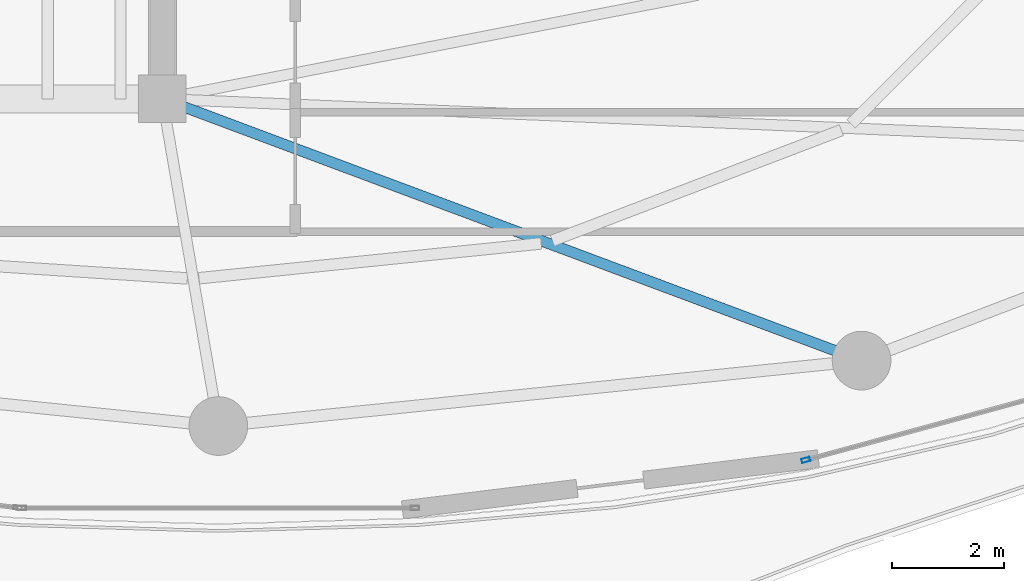
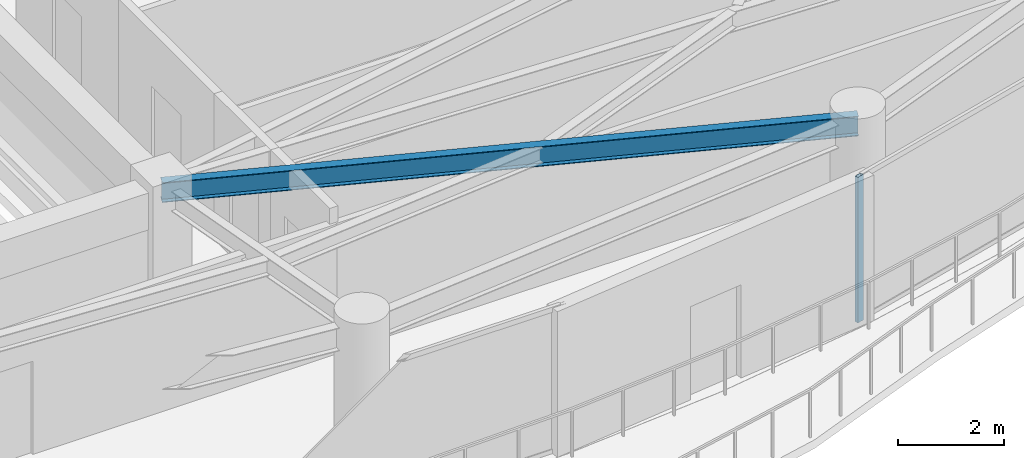
# One storey, part 11 of 31: 1 beam, 1 member, 1 element without a shape of its own.
"""IFC4 building model written with IfcOpenShell, lengths in metres."""

from ifc_helpers import new_model, si_unit, direction, frame, origin, origin_2d, place, context, subcontext, project, spatial, hollow_rectangle, i_section, extrude, material, layer, layer_set, material_profile, profile_set, type_object, element, aggregate, save


model = new_model("IFC4")

# Units and contexts
model_context = context("Model", 3, precision=1e-05, world=origin(), true_north=direction((0.0, 1.0)))
body_context = subcontext(model_context, "Body", "Model", "MODEL_VIEW")
ifc_project = project(units=[si_unit("LENGTHUNIT", "METRE"), si_unit("AREAUNIT", "SQUARE_METRE"), si_unit("VOLUMEUNIT", "CUBIC_METRE"), si_unit("PLANEANGLEUNIT", "RADIAN"), si_unit("MASSUNIT", "GRAM", prefix="KILO")], contexts=[model_context])

# Site, building, storey
site_placement = place(None, origin())
site = spatial("IfcSite", under=ifc_project, at=site_placement, CompositionType="ELEMENT")
building_placement = place(site_placement, origin())
building = spatial("IfcBuilding", under=site, at=building_placement, Name="Kazevale Care Tower and Concert Hall", CompositionType="ELEMENT")
storey_placement = place(building_placement, frame((0.0, 0.0, 202.800048828125)))
storey = spatial("IfcBuildingStorey", under=building, at=storey_placement, Name="L53", CompositionType="ELEMENT", Elevation=202.800048828125)

# Curtain wall, member
ifc_material_1 = material(Name="Aluminium 6063-T6 and Low-E Glass", Category="aluminium")
ifc_layer = layer(ifc_material_1, 0.179931640625)
ifc_layer_set = layer_set([ifc_layer], Name="Aluminium 6063-T6 and Low-E Glass")
curtain_wall_type = type_object("IfcCurtainWallType", Name="Sheltered Concave Balcony Curtain Wall CW-5", PredefinedType="NOTDEFINED", material=ifc_layer_set)
curtain_wall_placement = place(storey_placement, origin())
curtain_wall = element("IfcCurtainWall", 1, at=curtain_wall_placement, inside=storey, type_object=curtain_wall_type, Name="cw:L53:f04", PredefinedType="NOTDEFINED")
ifc_material_2 = material(Name="Aluminium 6063-T6", Category="aluminium")
ifc_material_profile_1 = material_profile(ifc_material_2, hollow_rectangle(XDim=0.074951171875, YDim=0.14990234375, WallThickness=0.00390625, at=origin_2d()), Name="ALU75x150x4")
ifc_profile_set_1 = profile_set([ifc_material_profile_1], Name="Aluminium 6063-T6")
member_type = type_object("IfcMemberType", Name="CW-5 Mullion ALU75x150x4", PredefinedType="MULLION", material=ifc_profile_set_1)
member_placement = place(storey_placement, frame((55.505126953125, 17.142822265625, 0.0), z_axis=(0.0, 0.0, 1.0), x_axis=(0.262848968947, -0.964836991167, 0.0)))
member = element("IfcMember", 2, at=member_placement, type_object=member_type, Name="CW-5 mullion 2", PredefinedType="MULLION", context=body_context, shape_type="SweptSolid", body=[
    extrude(hollow_rectangle(XDim=0.074951171875, YDim=0.14990234375, WallThickness=0.00390625, at=origin_2d()), origin(), (0.0, 0.0, 1.0), 3.35986328125),
])
aggregate(curtain_wall, [member])

# Beam
ifc_material_3 = material(Name="Steel ASTM A572 Gr 50", Category="steel")
ifc_material_profile_2 = material_profile(ifc_material_3, i_section(OverallWidth=0.19091796875, OverallDepth=0.4599609375, WebThickness=0.010009765625, FlangeThickness=0.01611328125, at=origin_2d()), Name="W460x82")
ifc_profile_set_2 = profile_set([ifc_material_profile_2], Name="Steel ASTM A572 Gr 50")
beam_type = type_object("IfcBeamType", Name="Radial Floor Beam W460x82", PredefinedType="BEAM", material=ifc_profile_set_2)
beam_placement = place(storey_placement, frame((44.0, 23.60009765625, 3.1298828125), z_axis=(0.936509460339, -0.350642311615, 0.0), x_axis=(0.350642311615, 0.936509460339, 0.0)))
element("IfcBeam", 3, at=beam_placement, inside=storey, type_object=beam_type, Name="beam:L53:rad:14", PredefinedType="BEAM", context=body_context, shape_type="SweptSolid", body=[
    extrude(i_section(OverallWidth=0.19091796875, OverallDepth=0.4599609375, WebThickness=0.010009765625, FlangeThickness=0.01611328125, at=origin_2d()), origin(), (0.0, 0.0, 1.0), 13.347412109375),
])

save(model, "model.ifc")
